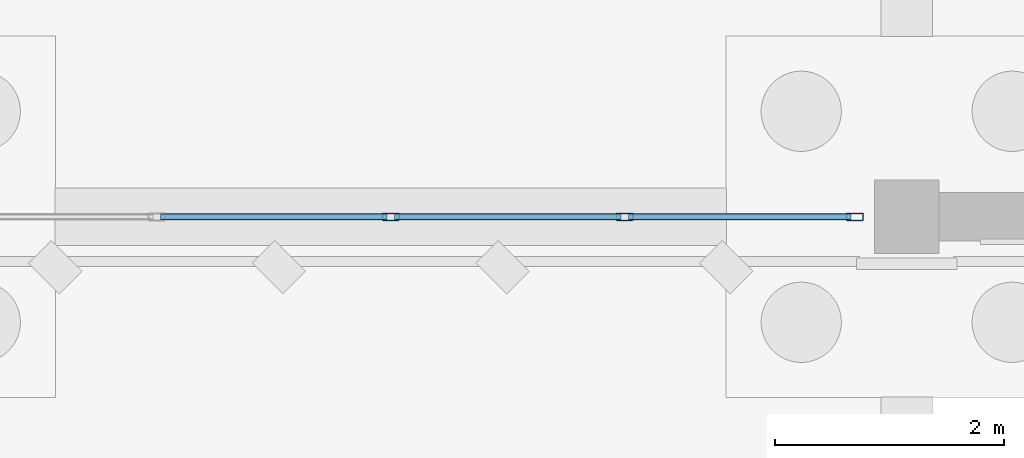
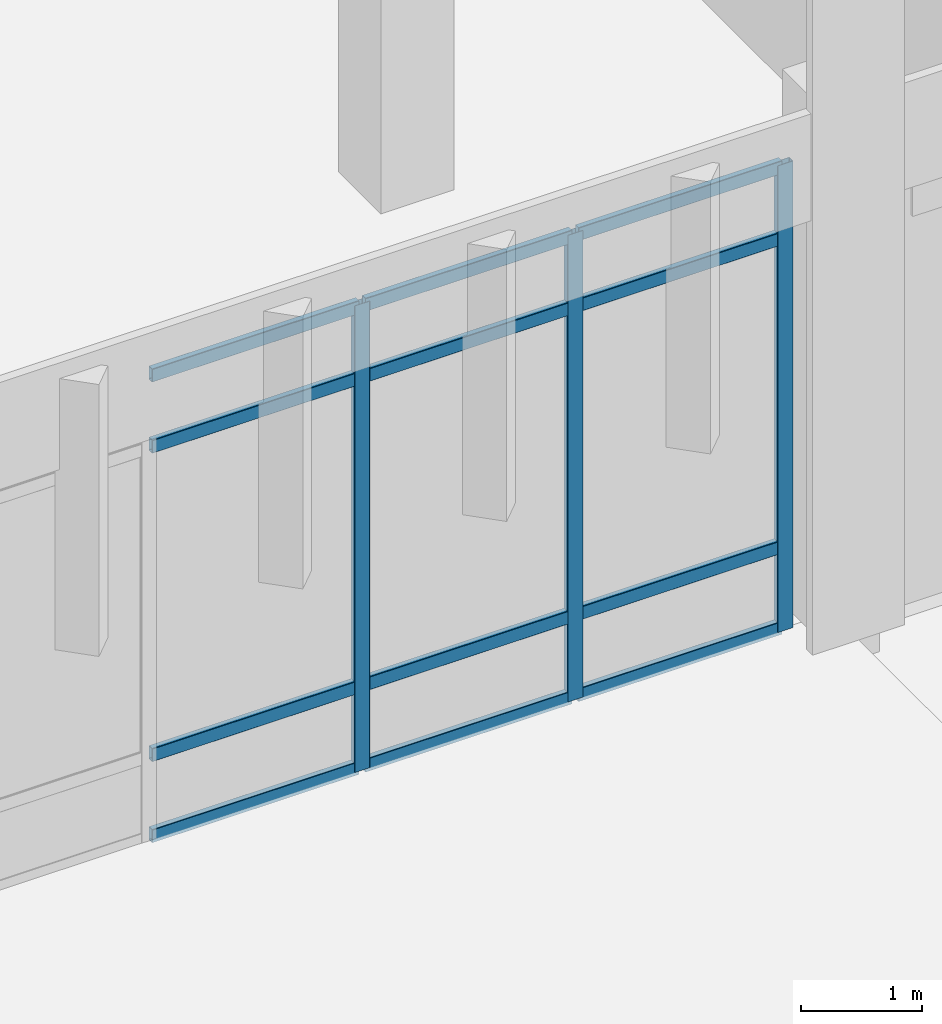
# One storey, part 52 of 109: 15 members, 1 element without a shape of its own.
"""IFC4 building model written with IfcOpenShell, lengths in metres."""

from ifc_helpers import new_model, si_unit, direction, frame, origin, origin_2d, place, context, subcontext, project, spatial, hollow_rectangle, extrude, material, material_profile, profile_set, type_object, element, aggregate, save


model = new_model("IFC4")

# Units and contexts
model_context = context("Model", 3, precision=1e-05, world=origin(), true_north=direction((0.0, 1.0)))
body_context = subcontext(model_context, "Body", "Model", "MODEL_VIEW")
ifc_project = project(units=[si_unit("LENGTHUNIT", "METRE"), si_unit("AREAUNIT", "SQUARE_METRE"), si_unit("VOLUMEUNIT", "CUBIC_METRE"), si_unit("PLANEANGLEUNIT", "RADIAN"), si_unit("MASSUNIT", "GRAM", prefix="KILO")], contexts=[model_context])

# Site, building, storey
site_placement = place(None, origin())
site = spatial("IfcSite", under=ifc_project, at=site_placement, CompositionType="ELEMENT")
building_placement = place(site_placement, origin())
building = spatial("IfcBuilding", under=site, at=building_placement, Name="Lusvemor Sports Hall", CompositionType="ELEMENT")
storey_placement = place(building_placement, origin())
storey = spatial("IfcBuildingStorey", under=building, at=storey_placement, Name="L00", CompositionType="ELEMENT", Elevation=0.0)

# Curtain wall, members
ifc_material_1 = material(Name="Thermally broken bronze-anodized aluminium", Category="aluminium")
curtain_wall_type = type_object("IfcCurtainWallType", Name="CW_WING_B", PredefinedType="NOTDEFINED", material=ifc_material_1)
curtain_wall_placement = place(storey_placement, origin())
curtain_wall = element("IfcCurtainWall", 1, at=curtain_wall_placement, inside=storey, type_object=curtain_wall_type, Name="Curtain Wall CW-L00-S-3-5", PredefinedType="NOTDEFINED")
ifc_material_2 = material(Name="Thermally broken bronze-anodized aluminium", Category="aluminium")
ifc_material_profile_1 = material_profile(ifc_material_2, hollow_rectangle(XDim=0.06494140625, YDim=0.14990234375, WallThickness=0.00390625, InnerFilletRadius=0.00390625, OuterFilletRadius=0.008056640625, at=origin_2d()), Name="CWMUL150x65x4")
ifc_profile_set_1 = profile_set([ifc_material_profile_1], Name="Thermally broken bronze-anodized aluminium")
member_type_1 = type_object("IfcMemberType", Name="CW_MUL_B", PredefinedType="MULLION", material=ifc_profile_set_1)
member_1_placement = place(storey_placement, frame((84.1474609375, 97.199951171875, 0.0), z_axis=(0.0, 0.0, 1.0), x_axis=(0.0, -1.0, 0.0)))
member_1 = element("IfcMember", 2, at=member_1_placement, type_object=member_type_1, Name="CW02 mullion 1", PredefinedType="MULLION", context=body_context, shape_type="SweptSolid", body=[
    extrude(hollow_rectangle(XDim=0.06494140625, YDim=0.14990234375, WallThickness=0.00390625, InnerFilletRadius=0.00390625, OuterFilletRadius=0.008056640625, at=origin_2d()), origin(), (0.0, 0.0, 1.0), 4.719970703125),
])
member_2_placement = place(storey_placement, frame((82.139892578125, 97.199951171875, 0.0), z_axis=(0.0, 0.0, 1.0), x_axis=(0.0, -1.0, 0.0)))
member_2 = element("IfcMember", 3, at=member_2_placement, type_object=member_type_1, Name="CW02 mullion 2", PredefinedType="MULLION", context=body_context, shape_type="SweptSolid", body=[
    extrude(hollow_rectangle(XDim=0.06494140625, YDim=0.14990234375, WallThickness=0.00390625, InnerFilletRadius=0.00390625, OuterFilletRadius=0.008056640625, at=origin_2d()), origin(), (0.0, 0.0, 1.0), 4.719970703125),
])
member_3_placement = place(storey_placement, frame((80.10009765625, 97.199951171875, 0.0), z_axis=(0.0, 0.0, 1.0), x_axis=(0.0, -1.0, 0.0)))
member_3 = element("IfcMember", 4, at=member_3_placement, type_object=member_type_1, Name="CW02 mullion 3", PredefinedType="MULLION", context=body_context, shape_type="SweptSolid", body=[
    extrude(hollow_rectangle(XDim=0.06494140625, YDim=0.14990234375, WallThickness=0.00390625, InnerFilletRadius=0.00390625, OuterFilletRadius=0.008056640625, at=origin_2d()), origin(), (0.0, 0.0, 1.0), 4.719970703125),
])
ifc_material_3 = material(Name="Thermally broken bronze-anodized aluminium", Category="aluminium")
ifc_material_profile_2 = material_profile(ifc_material_3, hollow_rectangle(XDim=0.06005859375, YDim=0.135009765625, WallThickness=0.00390625, InnerFilletRadius=0.00390625, OuterFilletRadius=0.008056640625, at=origin_2d()), Name="CWTRN135x60x4")
ifc_profile_set_2 = profile_set([ifc_material_profile_2], Name="Thermally broken bronze-anodized aluminium")
member_type_2 = type_object("IfcMemberType", Name="CW_TRN_B", PredefinedType="USERDEFINED", material=ifc_profile_set_2)
member_4_placement = place(storey_placement, frame((84.114990234375, 97.199951171875, 0.030029296875), z_axis=(-1.0, 0.0, 0.0), x_axis=(0.0, -1.0, 0.0)))
member_4 = element("IfcMember", 5, at=member_4_placement, type_object=member_type_2, Name="CW02 transom 1.1", ObjectType="TRANSOM", PredefinedType="USERDEFINED", context=body_context, shape_type="SweptSolid", body=[
    extrude(hollow_rectangle(XDim=0.06005859375, YDim=0.135009765625, WallThickness=0.00390625, InnerFilletRadius=0.00390625, OuterFilletRadius=0.008056640625, at=origin_2d()), origin(), (0.0, 0.0, 1.0), 1.9423828125),
])
member_5_placement = place(storey_placement, frame((84.114990234375, 97.199951171875, 0.85009765625), z_axis=(-1.0, 0.0, 0.0), x_axis=(0.0, -1.0, 0.0)))
member_5 = element("IfcMember", 6, at=member_5_placement, type_object=member_type_2, Name="CW02 transom 1.2", ObjectType="TRANSOM", PredefinedType="USERDEFINED", context=body_context, shape_type="SweptSolid", body=[
    extrude(hollow_rectangle(XDim=0.06005859375, YDim=0.135009765625, WallThickness=0.00390625, InnerFilletRadius=0.00390625, OuterFilletRadius=0.008056640625, at=origin_2d()), origin(), (0.0, 0.0, 1.0), 1.9423828125),
])
member_6_placement = place(storey_placement, frame((84.114990234375, 97.199951171875, 3.969970703125), z_axis=(-1.0, 0.0, 0.0), x_axis=(0.0, -1.0, 0.0)))
member_6 = element("IfcMember", 7, at=member_6_placement, type_object=member_type_2, Name="CW02 transom 1.3", ObjectType="TRANSOM", PredefinedType="USERDEFINED", context=body_context, shape_type="SweptSolid", body=[
    extrude(hollow_rectangle(XDim=0.06005859375, YDim=0.135009765625, WallThickness=0.00390625, InnerFilletRadius=0.00390625, OuterFilletRadius=0.008056640625, at=origin_2d()), origin(), (0.0, 0.0, 1.0), 1.9423828125),
])
member_7_placement = place(storey_placement, frame((84.114990234375, 97.199951171875, 4.68994140625), z_axis=(-1.0, 0.0, 0.0), x_axis=(0.0, -1.0, 0.0)))
member_7 = element("IfcMember", 8, at=member_7_placement, type_object=member_type_2, Name="CW02 transom 1.4", ObjectType="TRANSOM", PredefinedType="USERDEFINED", context=body_context, shape_type="SweptSolid", body=[
    extrude(hollow_rectangle(XDim=0.06005859375, YDim=0.135009765625, WallThickness=0.00390625, InnerFilletRadius=0.00390625, OuterFilletRadius=0.008056640625, at=origin_2d()), origin(), (0.0, 0.0, 1.0), 1.9423828125),
])
member_8_placement = place(storey_placement, frame((82.107421875, 97.199951171875, 0.030029296875), z_axis=(-1.0, 0.0, 0.0), x_axis=(0.0, -1.0, 0.0)))
member_8 = element("IfcMember", 9, at=member_8_placement, type_object=member_type_2, Name="CW02 transom 2.1", ObjectType="TRANSOM", PredefinedType="USERDEFINED", context=body_context, shape_type="SweptSolid", body=[
    extrude(hollow_rectangle(XDim=0.06005859375, YDim=0.135009765625, WallThickness=0.00390625, InnerFilletRadius=0.00390625, OuterFilletRadius=0.008056640625, at=origin_2d()), origin(), (0.0, 0.0, 1.0), 1.974853515625),
])
member_9_placement = place(storey_placement, frame((82.107421875, 97.199951171875, 0.85009765625), z_axis=(-1.0, 0.0, 0.0), x_axis=(0.0, -1.0, 0.0)))
member_9 = element("IfcMember", 10, at=member_9_placement, type_object=member_type_2, Name="CW02 transom 2.2", ObjectType="TRANSOM", PredefinedType="USERDEFINED", context=body_context, shape_type="SweptSolid", body=[
    extrude(hollow_rectangle(XDim=0.06005859375, YDim=0.135009765625, WallThickness=0.00390625, InnerFilletRadius=0.00390625, OuterFilletRadius=0.008056640625, at=origin_2d()), origin(), (0.0, 0.0, 1.0), 1.974853515625),
])
member_10_placement = place(storey_placement, frame((82.107421875, 97.199951171875, 3.969970703125), z_axis=(-1.0, 0.0, 0.0), x_axis=(0.0, -1.0, 0.0)))
member_10 = element("IfcMember", 11, at=member_10_placement, type_object=member_type_2, Name="CW02 transom 2.3", ObjectType="TRANSOM", PredefinedType="USERDEFINED", context=body_context, shape_type="SweptSolid", body=[
    extrude(hollow_rectangle(XDim=0.06005859375, YDim=0.135009765625, WallThickness=0.00390625, InnerFilletRadius=0.00390625, OuterFilletRadius=0.008056640625, at=origin_2d()), origin(), (0.0, 0.0, 1.0), 1.974853515625),
])
member_11_placement = place(storey_placement, frame((82.107421875, 97.199951171875, 4.68994140625), z_axis=(-1.0, 0.0, 0.0), x_axis=(0.0, -1.0, 0.0)))
member_11 = element("IfcMember", 12, at=member_11_placement, type_object=member_type_2, Name="CW02 transom 2.4", ObjectType="TRANSOM", PredefinedType="USERDEFINED", context=body_context, shape_type="SweptSolid", body=[
    extrude(hollow_rectangle(XDim=0.06005859375, YDim=0.135009765625, WallThickness=0.00390625, InnerFilletRadius=0.00390625, OuterFilletRadius=0.008056640625, at=origin_2d()), origin(), (0.0, 0.0, 1.0), 1.974853515625),
])
member_12_placement = place(storey_placement, frame((80.0673828125, 97.199951171875, 0.030029296875), z_axis=(-1.0, 0.0, 0.0), x_axis=(0.0, -1.0, 0.0)))
member_12 = element("IfcMember", 13, at=member_12_placement, type_object=member_type_2, Name="CW02 transom 3.1", ObjectType="TRANSOM", PredefinedType="USERDEFINED", context=body_context, shape_type="SweptSolid", body=[
    extrude(hollow_rectangle(XDim=0.06005859375, YDim=0.135009765625, WallThickness=0.00390625, InnerFilletRadius=0.00390625, OuterFilletRadius=0.008056640625, at=origin_2d()), origin(), (0.0, 0.0, 1.0), 1.974853515625),
])
member_13_placement = place(storey_placement, frame((80.0673828125, 97.199951171875, 0.85009765625), z_axis=(-1.0, 0.0, 0.0), x_axis=(0.0, -1.0, 0.0)))
member_13 = element("IfcMember", 14, at=member_13_placement, type_object=member_type_2, Name="CW02 transom 3.2", ObjectType="TRANSOM", PredefinedType="USERDEFINED", context=body_context, shape_type="SweptSolid", body=[
    extrude(hollow_rectangle(XDim=0.06005859375, YDim=0.135009765625, WallThickness=0.00390625, InnerFilletRadius=0.00390625, OuterFilletRadius=0.008056640625, at=origin_2d()), origin(), (0.0, 0.0, 1.0), 1.974853515625),
])
member_14_placement = place(storey_placement, frame((80.0673828125, 97.199951171875, 3.969970703125), z_axis=(-1.0, 0.0, 0.0), x_axis=(0.0, -1.0, 0.0)))
member_14 = element("IfcMember", 15, at=member_14_placement, type_object=member_type_2, Name="CW02 transom 3.3", ObjectType="TRANSOM", PredefinedType="USERDEFINED", context=body_context, shape_type="SweptSolid", body=[
    extrude(hollow_rectangle(XDim=0.06005859375, YDim=0.135009765625, WallThickness=0.00390625, InnerFilletRadius=0.00390625, OuterFilletRadius=0.008056640625, at=origin_2d()), origin(), (0.0, 0.0, 1.0), 1.974853515625),
])
member_15_placement = place(storey_placement, frame((80.0673828125, 97.199951171875, 4.68994140625), z_axis=(-1.0, 0.0, 0.0), x_axis=(0.0, -1.0, 0.0)))
member_15 = element("IfcMember", 16, at=member_15_placement, type_object=member_type_2, Name="CW02 transom 3.4", ObjectType="TRANSOM", PredefinedType="USERDEFINED", context=body_context, shape_type="SweptSolid", body=[
    extrude(hollow_rectangle(XDim=0.06005859375, YDim=0.135009765625, WallThickness=0.00390625, InnerFilletRadius=0.00390625, OuterFilletRadius=0.008056640625, at=origin_2d()), origin(), (0.0, 0.0, 1.0), 1.974853515625),
])
aggregate(curtain_wall, [member_1, member_2, member_3, member_4, member_5, member_6, member_7, member_8, member_9, member_10, member_11, member_12, member_13, member_14, member_15])

save(model, "model.ifc")
